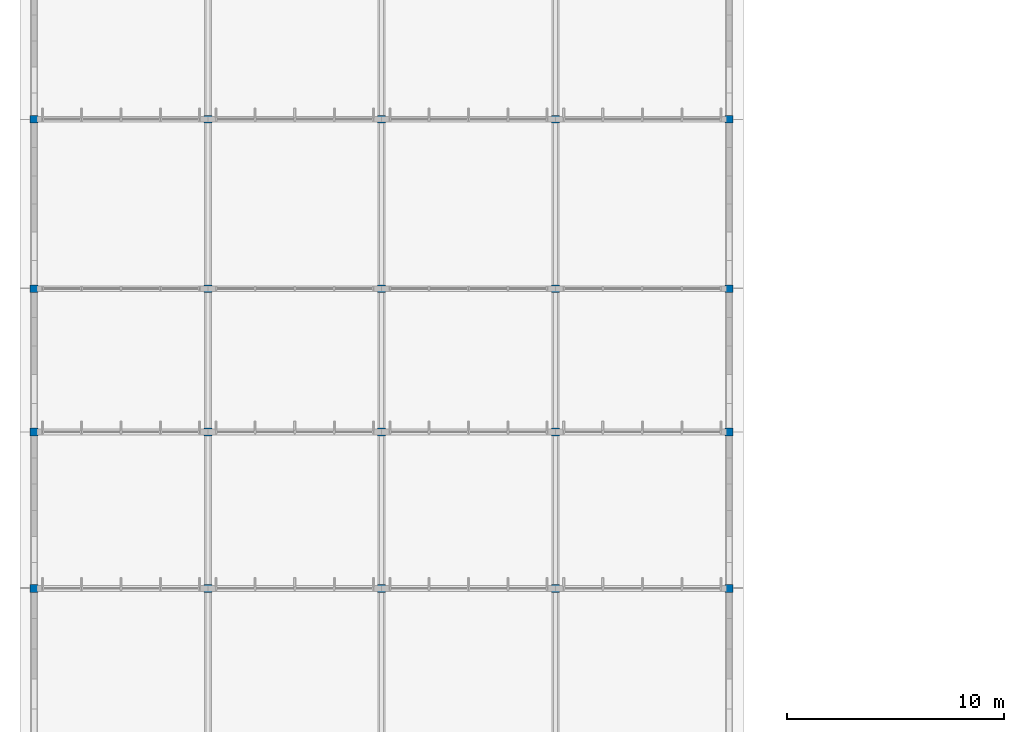
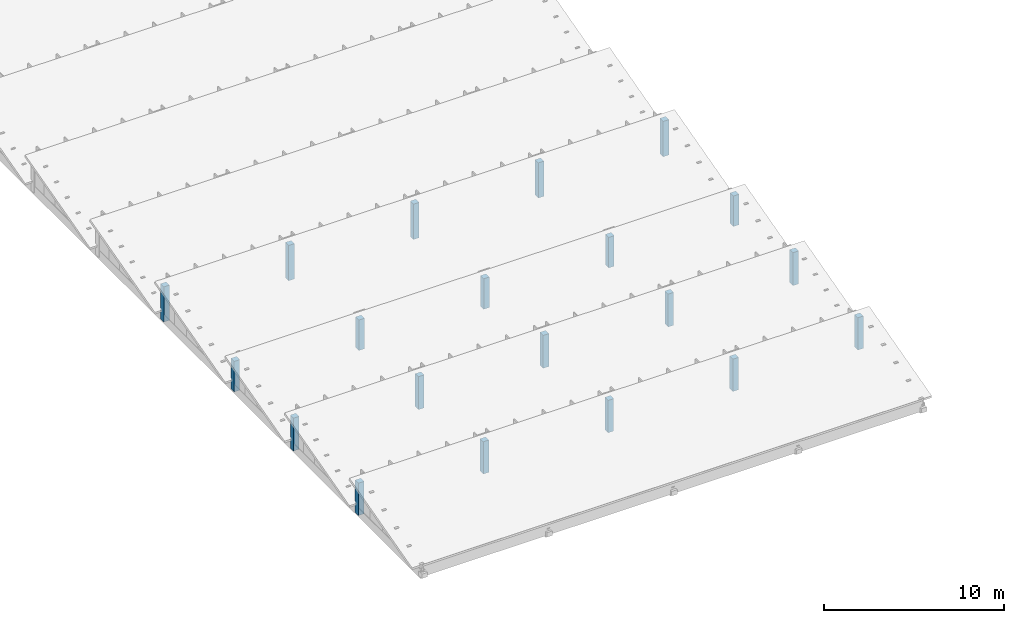
# One storey, part 1 of 94: 20 columns.
"""IFC4 building model written with IfcOpenShell, lengths in metres."""

from ifc_helpers import new_model, si_unit, direction, frame, origin, origin_2d, place, context, subcontext, project, spatial, rectangle, extrude, material, material_profile, profile_set, type_object, element, save


model = new_model("IFC4")

# Units and contexts
model_context = context("Model", 3, precision=1e-05, world=origin(), true_north=direction((0.0, 1.0)))
body_context = subcontext(model_context, "Body", "Model", "MODEL_VIEW")
ifc_project = project(units=[si_unit("LENGTHUNIT", "METRE"), si_unit("AREAUNIT", "SQUARE_METRE"), si_unit("VOLUMEUNIT", "CUBIC_METRE"), si_unit("PLANEANGLEUNIT", "RADIAN"), si_unit("MASSUNIT", "GRAM", prefix="KILO")], contexts=[model_context])

# Site, building, storey
site_placement = place(None, origin())
site = spatial("IfcSite", under=ifc_project, at=site_placement, CompositionType="ELEMENT")
building_placement = place(site_placement, origin())
building = spatial("IfcBuilding", under=site, at=building_placement, Name="Chiffa Square Polytechnic", CompositionType="ELEMENT")
storey_placement = place(building_placement, frame((0.0, 0.0, 18.0)))
storey = spatial("IfcBuildingStorey", under=building, at=storey_placement, Name="L04", CompositionType="ELEMENT", Elevation=18.0)

# Columns
ifc_material = material(Name="Glulam GL32c", Category="wood")
ifc_material_profile = material_profile(ifc_material, rectangle(XDim=0.360107421875, YDim=0.360107421875, at=origin_2d()), Name="GL32c 360x360")
ifc_profile_set = profile_set([ifc_material_profile], Name="Glulam GL32c")
column_type = type_object("IfcColumnType", Name="COL-GL-360", PredefinedType="COLUMN", material=ifc_profile_set)
for number, where, z_axis, x_axis, name in (
    (1, (0.0, 43.800048828125, 0.0), (0.0, 0.0, 1.0), (1.0, 0.0, 0.0), "Sawtooth north-light post C-V6-SAW-001B"),
    (2, (8.0, 43.800048828125, 0.0), (0.0, 0.0, 1.0), (1.0, 0.0, 0.0), "Sawtooth north-light post C-V6-SAW-002B"),
    (3, (16.0, 43.800048828125, 0.0), (0.0, 0.0, 1.0), (1.0, 0.0, 0.0), "Sawtooth north-light post C-V6-SAW-003B"),
    (4, (24.0, 43.800048828125, 0.0), (0.0, 0.0, 1.0), (1.0, 0.0, 0.0), "Sawtooth north-light post C-V6-SAW-004B"),
    (5, (32.0, 43.800048828125, 0.0), (0.0, 0.0, 1.0), (1.0, 0.0, 0.0), "Sawtooth north-light post C-V6-SAW-005B"),
):
    element("IfcColumn", number, at=place(storey_placement, frame(where, z_axis=z_axis, x_axis=x_axis)), inside=storey, type_object=column_type, Name=name, PredefinedType="COLUMN", context=body_context, shape_type="SweptSolid", body=[
        extrude(rectangle(XDim=0.360107421875, YDim=0.360107421875, at=origin_2d()), origin(), (0.0, 0.0, 1.0), 2.18896484375),
    ])
for number, where, z_axis, x_axis, name in (
    (6, (0.0, 51.0, 0.0), (0.0, 0.0, 1.0), (1.0, 0.0, 0.0), "Sawtooth north-light post C-V6-SAW-006B"),
    (7, (8.0, 51.0, 0.0), (0.0, 0.0, 1.0), (1.0, 0.0, 0.0), "Sawtooth north-light post C-V6-SAW-007B"),
    (8, (16.0, 51.0, 0.0), (0.0, 0.0, 1.0), (1.0, 0.0, 0.0), "Sawtooth north-light post C-V6-SAW-008B"),
    (9, (24.0, 51.0, 0.0), (0.0, 0.0, 1.0), (1.0, 0.0, 0.0), "Sawtooth north-light post C-V6-SAW-009B"),
    (10, (32.0, 51.0, 0.0), (0.0, 0.0, 1.0), (1.0, 0.0, 0.0), "Sawtooth north-light post C-V6-SAW-010B"),
):
    element("IfcColumn", number, at=place(storey_placement, frame(where, z_axis=z_axis, x_axis=x_axis)), inside=storey, type_object=column_type, Name=name, PredefinedType="COLUMN", context=body_context, shape_type="SweptSolid", body=[
        extrude(rectangle(XDim=0.360107421875, YDim=0.360107421875, at=origin_2d()), origin(), (0.0, 0.0, 1.0), 2.22900390625),
    ])
for number, where, z_axis, x_axis, name in (
    (11, (0.0, 57.60009765625, 0.0), (0.0, 0.0, 1.0), (1.0, 0.0, 0.0), "Sawtooth north-light post C-V6-SAW-011B"),
    (12, (8.0, 57.60009765625, 0.0), (0.0, 0.0, 1.0), (1.0, 0.0, 0.0), "Sawtooth north-light post C-V6-SAW-012B"),
    (13, (16.0, 57.60009765625, 0.0), (0.0, 0.0, 1.0), (1.0, 0.0, 0.0), "Sawtooth north-light post C-V6-SAW-013B"),
    (14, (24.0, 57.60009765625, 0.0), (0.0, 0.0, 1.0), (1.0, 0.0, 0.0), "Sawtooth north-light post C-V6-SAW-014B"),
    (15, (32.0, 57.60009765625, 0.0), (0.0, 0.0, 1.0), (1.0, 0.0, 0.0), "Sawtooth north-light post C-V6-SAW-015B"),
):
    element("IfcColumn", number, at=place(storey_placement, frame(where, z_axis=z_axis, x_axis=x_axis)), inside=storey, type_object=column_type, Name=name, PredefinedType="COLUMN", context=body_context, shape_type="SweptSolid", body=[
        extrude(rectangle(XDim=0.360107421875, YDim=0.360107421875, at=origin_2d()), origin(), (0.0, 0.0, 1.0), 2.068115234375),
    ])
for number, where, z_axis, x_axis, name in (
    (16, (0.0, 65.39990234375, 0.0), (0.0, 0.0, 1.0), (1.0, 0.0, 0.0), "Sawtooth north-light post C-V6-SAW-016B"),
    (17, (8.0, 65.39990234375, 0.0), (0.0, 0.0, 1.0), (1.0, 0.0, 0.0), "Sawtooth north-light post C-V6-SAW-017B"),
    (18, (16.0, 65.39990234375, 0.0), (0.0, 0.0, 1.0), (1.0, 0.0, 0.0), "Sawtooth north-light post C-V6-SAW-018B"),
    (19, (24.0, 65.39990234375, 0.0), (0.0, 0.0, 1.0), (1.0, 0.0, 0.0), "Sawtooth north-light post C-V6-SAW-019B"),
    (20, (32.0, 65.39990234375, 0.0), (0.0, 0.0, 1.0), (1.0, 0.0, 0.0), "Sawtooth north-light post C-V6-SAW-020B"),
):
    element("IfcColumn", number, at=place(storey_placement, frame(where, z_axis=z_axis, x_axis=x_axis)), inside=storey, type_object=column_type, Name=name, PredefinedType="COLUMN", context=body_context, shape_type="SweptSolid", body=[
        extrude(rectangle(XDim=0.360107421875, YDim=0.360107421875, at=origin_2d()), origin(), (0.0, 0.0, 1.0), 2.389892578125),
    ])

save(model, "model.ifc")
